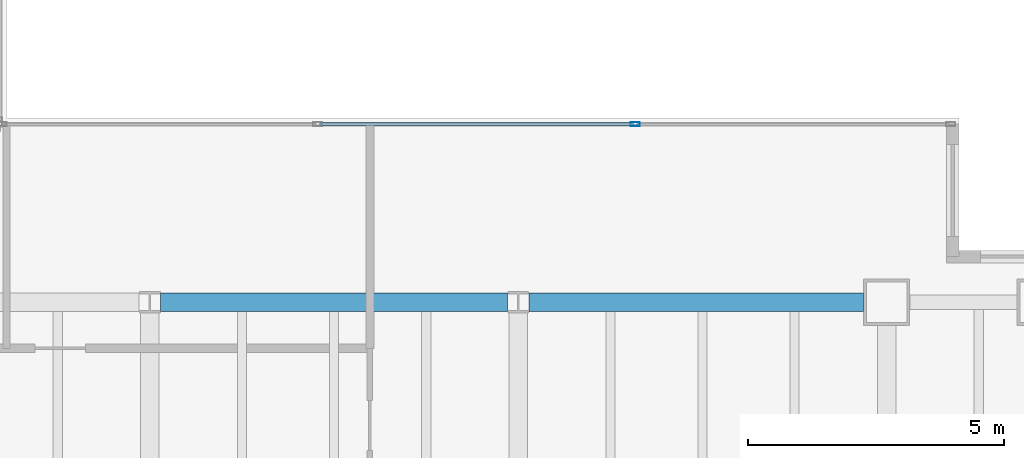
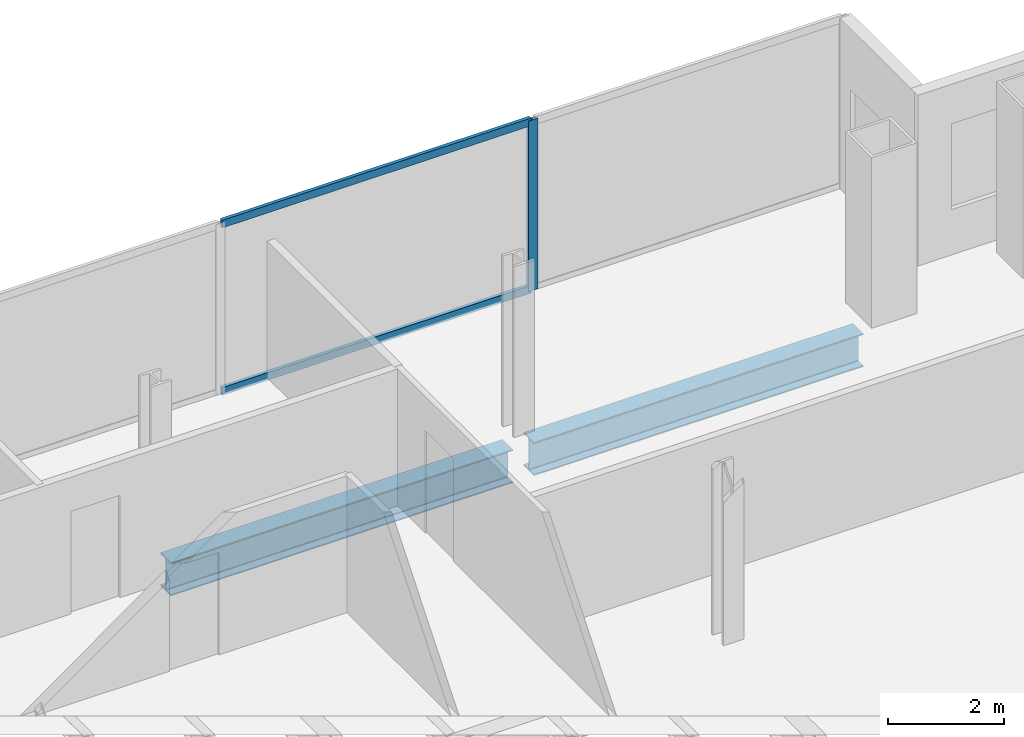
# One storey, part 14 of 23: 3 members, 2 beams, 1 element without a shape of its own.
"""IFC4 building model written with IfcOpenShell, lengths in metres."""

from ifc_helpers import new_model, si_unit, direction, frame, origin, origin_2d, place, context, subcontext, project, spatial, hollow_rectangle, i_section, extrude, material, material_profile, profile_set, type_object, element, aggregate, save


model = new_model("IFC4")

# Units and contexts
model_context = context("Model", 3, precision=1e-05, world=origin(), true_north=direction((0.0, 1.0)))
body_context = subcontext(model_context, "Body", "Model", "MODEL_VIEW")
ifc_project = project(units=[si_unit("LENGTHUNIT", "METRE"), si_unit("AREAUNIT", "SQUARE_METRE"), si_unit("VOLUMEUNIT", "CUBIC_METRE"), si_unit("PLANEANGLEUNIT", "RADIAN"), si_unit("MASSUNIT", "GRAM", prefix="KILO")], contexts=[model_context])

# Site, building, storey
site_placement = place(None, origin())
site = spatial("IfcSite", under=ifc_project, at=site_placement, CompositionType="ELEMENT")
building_placement = place(site_placement, origin())
building = spatial("IfcBuilding", under=site, at=building_placement, Name="Cobrela Telecom Tower", CompositionType="ELEMENT")
storey_placement = place(building_placement, frame((0.0, 0.0, 144.550048828125)))
storey = spatial("IfcBuildingStorey", under=building, at=storey_placement, Name="L36", CompositionType="ELEMENT", Elevation=144.550048828125)

# Beams
ifc_material_1 = material(Name="Steel ASTM A992 Grade 50", Category="steel")
ifc_material_profile_1 = material_profile(ifc_material_1, i_section(OverallWidth=0.35595703125, OverallDepth=0.696044921875, WebThickness=0.015380859375, FlangeThickness=0.024658203125, FilletRadius=0.01806640625, at=origin_2d()), Name="W27X146")
ifc_profile_set_1 = profile_set([ifc_material_profile_1], Name="Steel ASTM A992 Grade 50")
beam_type = type_object("IfcBeamType", Name="BM-GIRD-05", PredefinedType="USERDEFINED", material=ifc_profile_set_1)
beam_1_placement = place(storey_placement, frame((29.009521484375, 21.60009765625, -0.6181640625), z_axis=(1.0, 0.0, 0.0), x_axis=(0.0, 1.0, 0.0)))
element("IfcBeam", 1, at=beam_1_placement, inside=storey, type_object=beam_type, Name="L36 Primary Girder X20", ObjectType="GIRDER", PredefinedType="USERDEFINED", context=body_context, shape_type="SweptSolid", body=[
    extrude(i_section(OverallWidth=0.35595703125, OverallDepth=0.696044921875, WebThickness=0.015380859375, FlangeThickness=0.024658203125, FilletRadius=0.01806640625, at=origin_2d()), origin(), (0.0, 0.0, 1.0), 6.781005859375),
])
beam_2_placement = place(storey_placement, frame((36.20947265625, 21.60009765625, -0.6181640625), z_axis=(1.0, 0.0, 0.0), x_axis=(0.0, 1.0, 0.0)))
element("IfcBeam", 2, at=beam_2_placement, inside=storey, type_object=beam_type, Name="L36 Primary Girder X21", ObjectType="GIRDER", PredefinedType="USERDEFINED", context=body_context, shape_type="SweptSolid", body=[
    extrude(i_section(OverallWidth=0.35595703125, OverallDepth=0.696044921875, WebThickness=0.015380859375, FlangeThickness=0.024658203125, FilletRadius=0.01806640625, at=origin_2d()), origin(), (0.0, 0.0, 1.0), 6.53564453125),
])

# Curtain wall, members
ifc_material_2 = material(Name="Anodized Bronze Aluminium 6063-T6", Category="aluminium")
curtain_wall_type = type_object("IfcCurtainWallType", Name="CW-SYS-TEL", PredefinedType="USERDEFINED", material=ifc_material_2)
curtain_wall_placement = place(storey_placement, origin())
curtain_wall = element("IfcCurtainWall", 3, at=curtain_wall_placement, inside=storey, type_object=curtain_wall_type, Name="L36 Unitised Bronze Curtain Wall 11", ObjectType="UNITISED CURTAIN WALL", PredefinedType="USERDEFINED")
ifc_material_profile_2 = material_profile(ifc_material_2, hollow_rectangle(XDim=0.074951171875, YDim=0.179931640625, WallThickness=0.00390625, at=origin_2d()), Name="ALU 75x180x4")
ifc_profile_set_2 = profile_set([ifc_material_profile_2], Name="Anodized Bronze Aluminium 6063-T6")
member_type_1 = type_object("IfcMemberType", Name="CW-SYS-TEL-MUL", PredefinedType="MULLION", material=ifc_profile_set_2)
member_1_placement = place(storey_placement, frame((38.28662109375, 25.080078125, 0.0), z_axis=(0.0, 0.0, 1.0), x_axis=(0.0, 1.0, 0.0)))
member_1 = element("IfcMember", 4, at=member_1_placement, type_object=member_type_1, Name="CW-TEL mullion 3", PredefinedType="MULLION", context=body_context, shape_type="SweptSolid", body=[
    extrude(hollow_rectangle(XDim=0.074951171875, YDim=0.179931640625, WallThickness=0.00390625, at=origin_2d()), origin(), (0.0, 0.0, 1.0), 3.579833984375),
])
ifc_material_profile_3 = material_profile(ifc_material_2, hollow_rectangle(XDim=0.070068359375, YDim=0.159912109375, WallThickness=0.00390625, at=origin_2d()), Name="ALU 70x160x4")
ifc_profile_set_3 = profile_set([ifc_material_profile_3], Name="Anodized Bronze Aluminium 6063-T6")
member_type_2 = type_object("IfcMemberType", Name="CW-SYS-TEL-TRN", PredefinedType="USERDEFINED", material=ifc_profile_set_3)
member_2_placement = place(storey_placement, frame((32.120849609375, 25.080078125, 0.034912109375), z_axis=(1.0, 0.0, 0.0), x_axis=(0.0, 1.0, 0.0)))
member_2 = element("IfcMember", 5, at=member_2_placement, type_object=member_type_2, Name="CW-TEL transom 2.1", ObjectType="TRANSOM", PredefinedType="USERDEFINED", context=body_context, shape_type="SweptSolid", body=[
    extrude(hollow_rectangle(XDim=0.070068359375, YDim=0.159912109375, WallThickness=0.00390625, at=origin_2d()), origin(), (0.0, 0.0, 1.0), 6.12841796875),
])
member_3_placement = place(storey_placement, frame((32.120849609375, 25.080078125, 3.544921875), z_axis=(1.0, 0.0, 0.0), x_axis=(0.0, 1.0, 0.0)))
member_3 = element("IfcMember", 6, at=member_3_placement, type_object=member_type_2, Name="CW-TEL transom 2.2", ObjectType="TRANSOM", PredefinedType="USERDEFINED", context=body_context, shape_type="SweptSolid", body=[
    extrude(hollow_rectangle(XDim=0.070068359375, YDim=0.159912109375, WallThickness=0.00390625, at=origin_2d()), origin(), (0.0, 0.0, 1.0), 6.12841796875),
])
aggregate(curtain_wall, [member_1, member_2, member_3])

save(model, "model.ifc")
